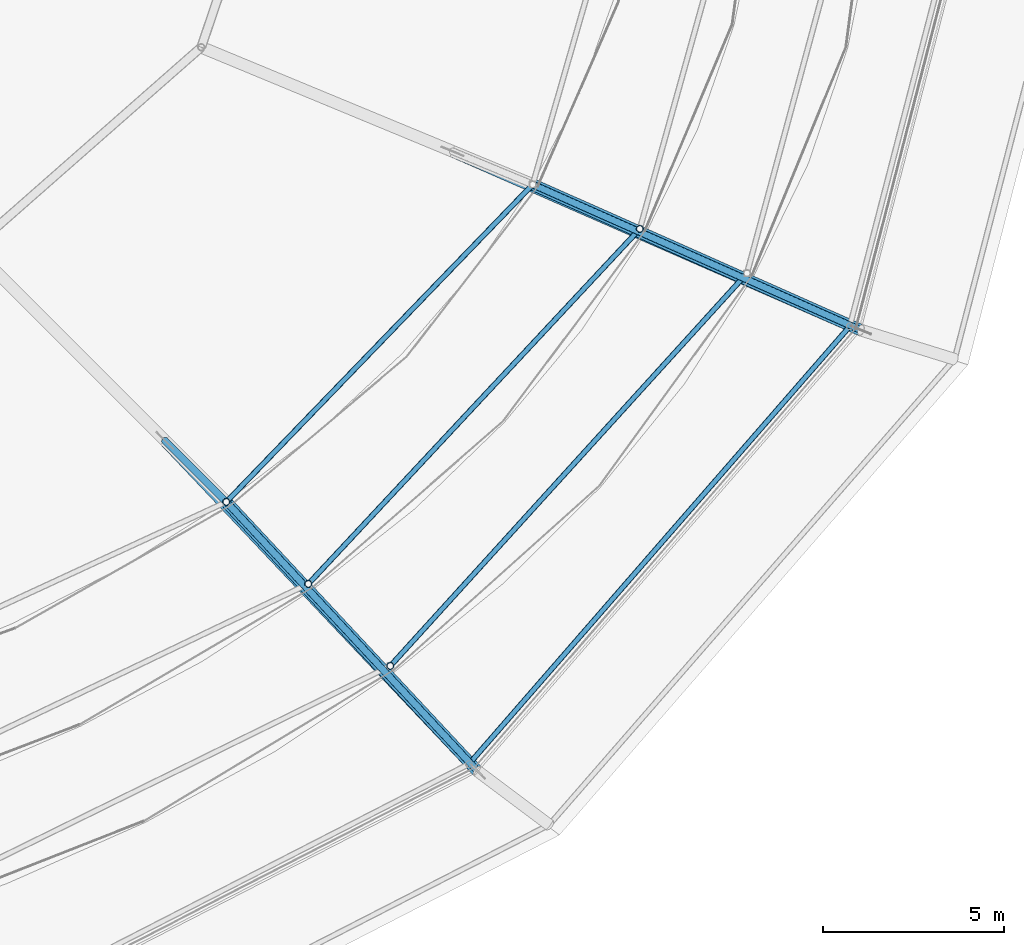
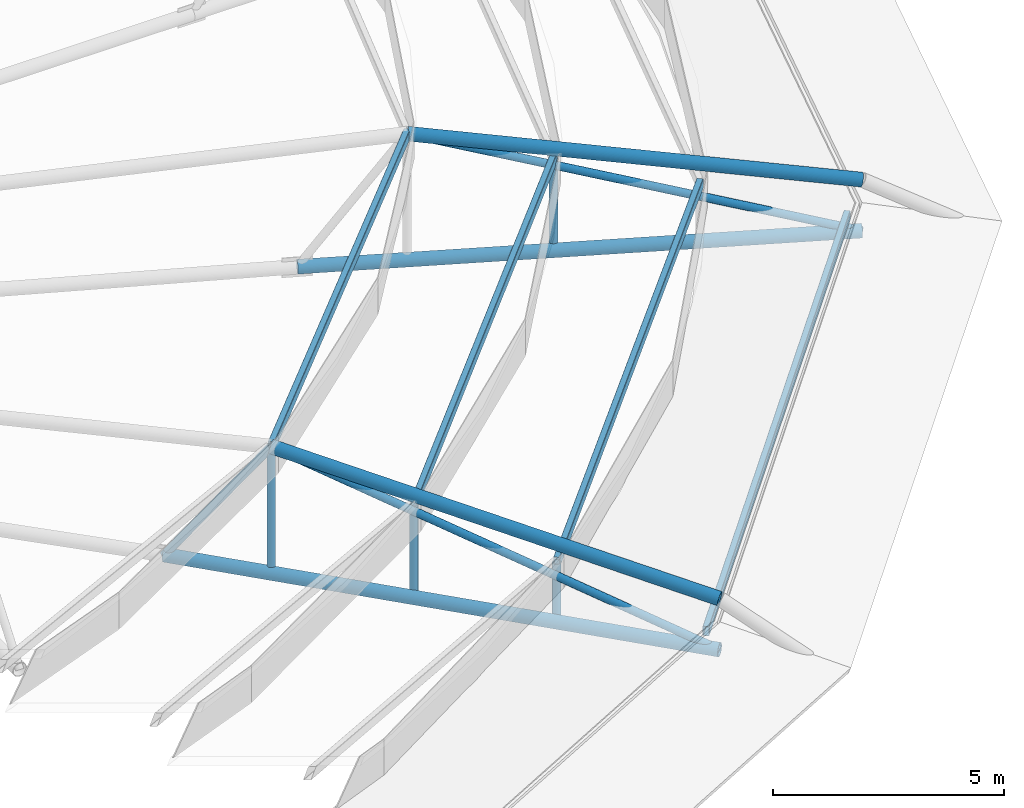
# One storey, part 30 of 134: 11 members, 4 beams.
"""IFC4 building model written with IfcOpenShell, lengths in metres."""

from ifc_helpers import new_model, si_unit, derived_unit, direction, frame, origin, origin_2d, place, context, subcontext, project, spatial, hollow_rectangle, hollow_circle, extrude, material, material_profile, profile_set, type_object, element, save


model = new_model("IFC4")

# Units and contexts
model_context = context("Model", 3, precision=1e-05, world=origin(), true_north=direction((0.0, 1.0)))
body_context = subcontext(model_context, "Body", "Model", "MODEL_VIEW")
ifc_project = project(units=[si_unit("LENGTHUNIT", "METRE"), si_unit("AREAUNIT", "SQUARE_METRE"), si_unit("VOLUMEUNIT", "CUBIC_METRE"), si_unit("PLANEANGLEUNIT", "RADIAN"), si_unit("MASSUNIT", "GRAM", prefix="KILO"), derived_unit("THERMALTRANSMITTANCEUNIT", [(si_unit("MASSUNIT", "GRAM", prefix="KILO"), 1), (si_unit("TIMEUNIT", "SECOND"), -3), (si_unit("THERMODYNAMICTEMPERATUREUNIT", "KELVIN"), -1)])], contexts=[model_context])

# Site, building, storey
site_placement = place(None, origin())
site = spatial("IfcSite", under=ifc_project, at=site_placement, CompositionType="ELEMENT")
building_placement = place(site_placement, origin())
building = spatial("IfcBuilding", under=site, at=building_placement, Name="Kharveza Railside Sports Centre", CompositionType="ELEMENT")
storey_placement = place(building_placement, frame((0.0, 0.0, 12.89990234375)))
storey = spatial("IfcBuildingStorey", under=building, at=storey_placement, Name="L03", CompositionType="ELEMENT", Elevation=12.89990234375)

# Beams
ifc_material = material(Name="Steel S355J2", Category="steel")
ifc_material_profile_1 = material_profile(ifc_material, hollow_rectangle(XDim=0.14990234375, YDim=0.25, WallThickness=0.010009765625, InnerFilletRadius=0.010009765625, OuterFilletRadius=0.02001953125, at=origin_2d()), Name="RHS 150x250x10.0")
ifc_profile_set_1 = profile_set([ifc_material_profile_1], Name="Steel S355J2")
beam_type = type_object("IfcBeamType", Name="BM-SP04", PredefinedType="SPANDREL", material=ifc_profile_set_1)
beam_1_placement = place(storey_placement, frame((88.87353515625, 24.07666015625, 0.405029296875), z_axis=(0.656355408567, 0.754451839181, 0.0), x_axis=(-0.754451839181, 0.656355408567, 0.0)))
element("IfcBeam", 1, at=beam_1_placement, inside=storey, type_object=beam_type, Name="BM-LIDRING-S1-15", PredefinedType="SPANDREL", context=body_context, shape_type="SweptSolid", body=[
    extrude(hollow_rectangle(XDim=0.14990234375, YDim=0.25, WallThickness=0.010009765625, InnerFilletRadius=0.010009765625, OuterFilletRadius=0.02001953125, at=origin_2d()), origin(), (0.0, 0.0, 1.0), 16.0078125),
])
beam_2_placement = place(storey_placement, frame((86.70263671875, 26.78271484375, 1.35498046875), z_axis=(0.672333188061, 0.740248663782, 0.0), x_axis=(-0.740248663782, 0.672333188061, 0.0)))
element("IfcBeam", 2, at=beam_2_placement, inside=storey, type_object=beam_type, Name="BM-LIDRING-S2-15", PredefinedType="SPANDREL", context=body_context, shape_type="SweptSolid", body=[
    extrude(hollow_rectangle(XDim=0.14990234375, YDim=0.25, WallThickness=0.010009765625, InnerFilletRadius=0.010009765625, OuterFilletRadius=0.02001953125, at=origin_2d()), origin(), (0.0, 0.0, 1.0), 14.637939453125),
])
beam_3_placement = place(storey_placement, frame((84.43994140625, 29.04541015625, 2.30517578125), z_axis=(0.682448677194, 0.730933514758, 0.0), x_axis=(-0.730933514758, 0.682448677194, 0.0)))
element("IfcBeam", 3, at=beam_3_placement, inside=storey, type_object=beam_type, Name="BM-LIDRING-S3-15", PredefinedType="SPANDREL", context=body_context, shape_type="SweptSolid", body=[
    extrude(hollow_rectangle(XDim=0.14990234375, YDim=0.25, WallThickness=0.010009765625, InnerFilletRadius=0.010009765625, OuterFilletRadius=0.02001953125, at=origin_2d()), origin(), (0.0, 0.0, 1.0), 13.404296875),
])
beam_4_placement = place(storey_placement, frame((82.17724609375, 31.30810546875, 3.255126953125), z_axis=(0.694451340821, 0.719539668977, 0.0), x_axis=(-0.719539668977, 0.694451340821, 0.0)))
element("IfcBeam", 4, at=beam_4_placement, inside=storey, type_object=beam_type, Name="BM-LIDRING-S4-15", PredefinedType="SPANDREL", context=body_context, shape_type="SweptSolid", body=[
    extrude(hollow_rectangle(XDim=0.14990234375, YDim=0.25, WallThickness=0.010009765625, InnerFilletRadius=0.010009765625, OuterFilletRadius=0.02001953125, at=origin_2d()), origin(), (0.0, 0.0, 1.0), 12.173828125),
])

# Members
ifc_material_profile_2 = material_profile(ifc_material, hollow_circle(Radius=0.161865234375, WallThickness=0.01611328125, at=origin_2d()), Name="CHS 323.9x16.0")
ifc_profile_set_2 = profile_set([ifc_material_profile_2], Name="Steel S355J2")
member_type_1 = type_object("IfcMemberType", Name="MB-CH02", PredefinedType="CHORD", material=ifc_profile_set_2)
member_1_placement = place(storey_placement, frame((80.47998046875, 33.005126953125, -0.0498046875), z_axis=(0.687123572984, -0.726540566968, 0.0), x_axis=(0.726540566968, 0.687123572984, 0.0)))
element("IfcMember", 5, at=member_1_placement, inside=storey, type_object=member_type_1, Name="MB-OUT-BC2-15", PredefinedType="CHORD", context=body_context, shape_type="SweptSolid", body=[
    extrude(hollow_circle(Radius=0.161865234375, WallThickness=0.01611328125, at=origin_2d()), origin(), (0.0, 0.0, 1.0), 12.554931640625),
])
member_2_placement = place(storey_placement, frame((82.17724609375, 31.30810546875, 3.25), z_axis=(0.670071214212, -0.717948620491, -0.188558601554), x_axis=(0.731062462895, 0.682310541723, 0.0)))
element("IfcMember", 6, at=member_2_placement, inside=storey, type_object=member_type_1, Name="MB-OUT-TC2-15", PredefinedType="CHORD", context=body_context, shape_type="SweptSolid", body=[
    extrude(hollow_circle(Radius=0.161865234375, WallThickness=0.01611328125, at=origin_2d()), origin(), (0.0, 0.0, 1.0), 10.34130859375),
])
member_3_placement = place(storey_placement, frame((88.4140625, 40.986083984375, -0.0498046875), z_axis=(0.915990137201, -0.401200783337, 0.0), x_axis=(0.401200783337, 0.915990137201, 0.0)))
element("IfcMember", 7, at=member_3_placement, inside=storey, type_object=member_type_1, Name="MB-OUT-BC2-16", PredefinedType="CHORD", context=body_context, shape_type="SweptSolid", body=[
    extrude(hollow_circle(Radius=0.161865234375, WallThickness=0.01611328125, at=origin_2d()), origin(), (0.0, 0.0, 1.0), 12.304931640625),
])
member_4_placement = place(storey_placement, frame((90.63134765625, 40.0673828125, 3.25), z_axis=(0.89682131677, -0.398001489319, -0.193148492842), x_axis=(0.405639876127, 0.914032981295, 0.0)))
element("IfcMember", 8, at=member_4_placement, inside=storey, type_object=member_type_1, Name="MB-OUT-TC2-16", PredefinedType="CHORD", context=body_context, shape_type="SweptSolid", body=[
    extrude(hollow_circle(Radius=0.161865234375, WallThickness=0.01611328125, at=origin_2d()), origin(), (0.0, 0.0, 1.0), 10.095703125),
])
ifc_material_profile_3 = material_profile(ifc_material, hollow_circle(Radius=0.096923828125, WallThickness=0.010009765625, at=origin_2d()), Name="CHS 193.7x10.0")
ifc_profile_set_3 = profile_set([ifc_material_profile_3], Name="Steel S355J2")
member_type_2 = type_object("IfcMemberType", Name="MB-ST02", PredefinedType="STRUT", material=ifc_profile_set_3)
member_5_placement = place(storey_placement, frame((86.70263671875, 26.78271484375, -0.0498046875), z_axis=(0.0, 0.0, 1.0), x_axis=(1.0, 0.0, 0.0)))
element("IfcMember", 9, at=member_5_placement, inside=storey, type_object=member_type_2, Name="MB-LIDPOST-S2-15", PredefinedType="STRUT", context=body_context, shape_type="SweptSolid", body=[
    extrude(hollow_circle(Radius=0.096923828125, WallThickness=0.010009765625, at=origin_2d()), origin(), (0.0, 0.0, 1.0), 1.40478515625),
])
for number, where, z_axis, x_axis, name in (
    (10, (84.43994140625, 29.04541015625, -0.0498046875), (0.0, 0.0, 1.0), (1.0, 0.0, 0.0), "MB-LIDPOST-S3-15"),
    (11, (93.587646484375, 38.843017578125, -0.0498046875), (0.0, 0.0, 1.0), (1.0, 0.0, 0.0), "MB-LIDPOST-S3-16"),
):
    element("IfcMember", number, at=place(storey_placement, frame(where, z_axis=z_axis, x_axis=x_axis)), inside=storey, type_object=member_type_2, Name=name, PredefinedType="STRUT", context=body_context, shape_type="SweptSolid", body=[
        extrude(hollow_circle(Radius=0.096923828125, WallThickness=0.010009765625, at=origin_2d()), origin(), (0.0, 0.0, 1.0), 2.35498046875),
    ])
member_6_placement = place(storey_placement, frame((82.17724609375, 31.30810546875, -0.0498046875), z_axis=(0.0, 0.0, 1.0), x_axis=(1.0, 0.0, 0.0)))
element("IfcMember", 12, at=member_6_placement, inside=storey, type_object=member_type_2, Name="MB-LIDPOST-S4-15", PredefinedType="STRUT", context=body_context, shape_type="SweptSolid", body=[
    extrude(hollow_circle(Radius=0.096923828125, WallThickness=0.010009765625, at=origin_2d()), origin(), (0.0, 0.0, 1.0), 3.304931640625),
])
member_7_placement = place(storey_placement, frame((80.47998046875, 33.005126953125, -0.0498046875), z_axis=(0.415960202023, -0.415900368853, 0.808705133853), x_axis=(0.707055919343, 0.707157639372, 0.0)))
element("IfcMember", 13, at=member_7_placement, inside=storey, type_object=member_type_2, Name="MB-OUT-WEB-15-2", PredefinedType="STRUT", context=body_context, shape_type="SweptSolid", body=[
    extrude(hollow_circle(Radius=0.096923828125, WallThickness=0.010009765625, at=origin_2d()), origin(), (0.0, 0.0, 1.0), 4.080322265625),
])
member_8_placement = place(storey_placement, frame((82.17724609375, 31.30810546875, 3.25), z_axis=(0.648916467759, -0.695282341578, -0.309014374035), x_axis=(0.731062462895, 0.682310541723, 0.0)))
element("IfcMember", 14, at=member_8_placement, inside=storey, type_object=member_type_2, Name="MB-OUT-WEB-15-3", PredefinedType="STRUT", context=body_context, shape_type="SweptSolid", body=[
    extrude(hollow_circle(Radius=0.096923828125, WallThickness=0.010009765625, at=origin_2d()), origin(), (0.0, 0.0, 1.0), 10.678466796875),
])
member_9_placement = place(storey_placement, frame((90.63134765625, 40.0673828125, 3.25), z_axis=(0.867181101303, -0.384847419853, -0.316052845226), x_axis=(0.405639876127, 0.914032981295, 0.0)))
element("IfcMember", 15, at=member_9_placement, inside=storey, type_object=member_type_2, Name="MB-OUT-WEB-16-3", PredefinedType="STRUT", context=body_context, shape_type="SweptSolid", body=[
    extrude(hollow_circle(Radius=0.096923828125, WallThickness=0.010009765625, at=origin_2d()), origin(), (0.0, 0.0, 1.0), 10.440673828125),
])

save(model, "model.ifc")
